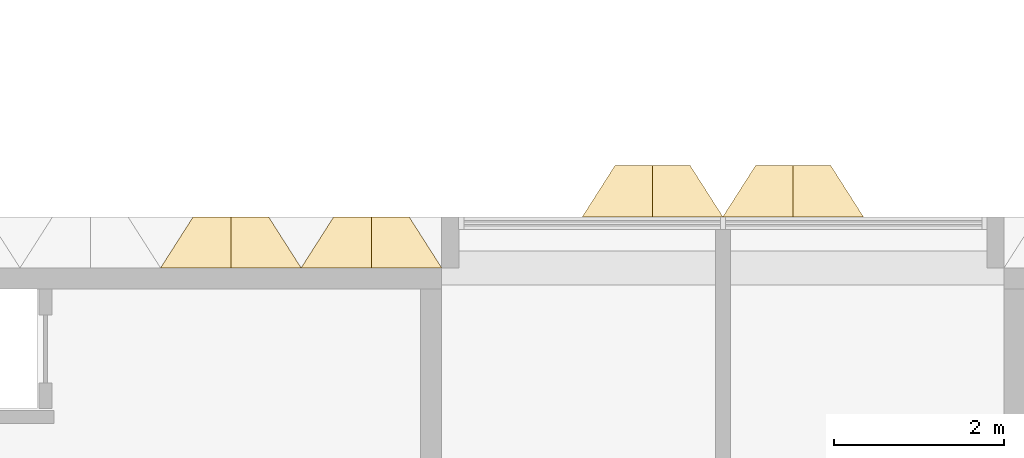
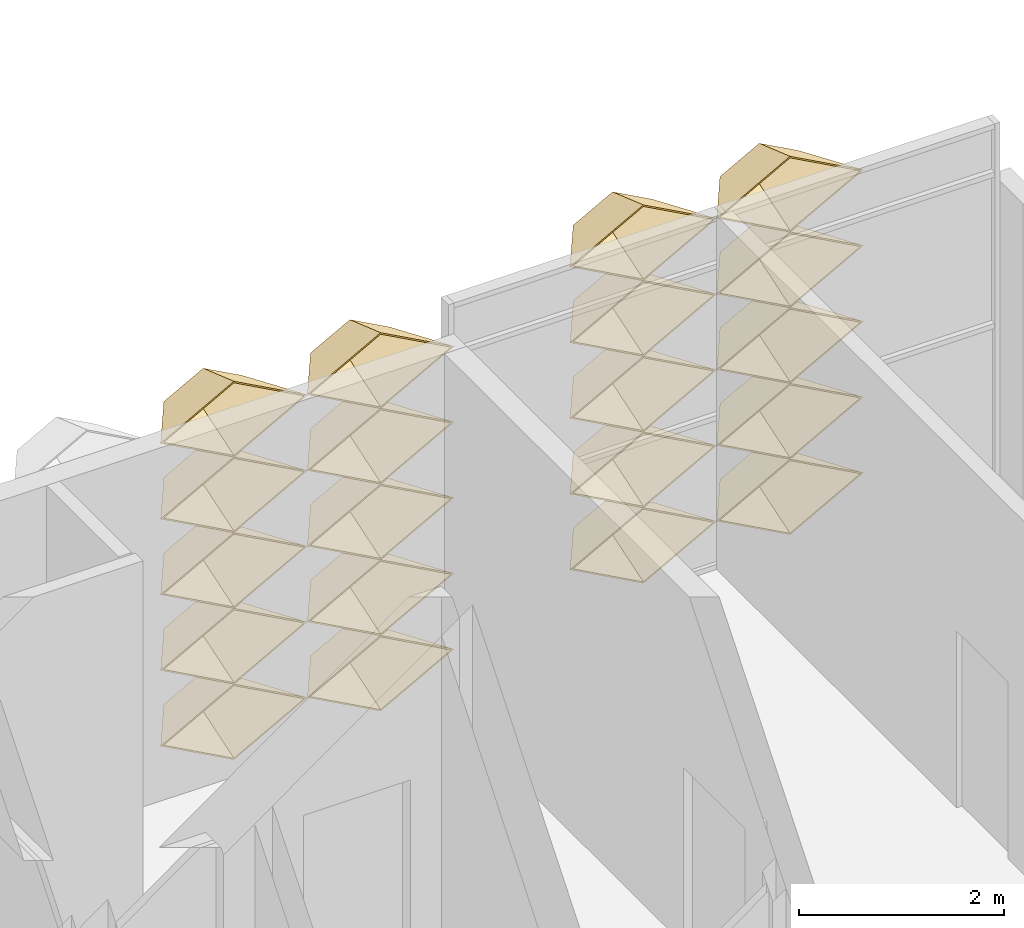
# One storey, part 52 of 85: 20 coverings.
"""IFC4 building model written with IfcOpenShell, lengths in metres."""

from ifc_helpers import new_model, entity, si_unit, direction, frame, origin, place, context, subcontext, project, spatial, material, layer, layer_set, type_object, element, save


model = new_model("IFC4")

# Units and contexts
model_context = context("Model", 3, precision=1e-05, world=origin(), true_north=direction((0.0, 1.0)))
body_context = subcontext(model_context, "Body", "Model", "MODEL_VIEW")
ifc_project = project(units=[si_unit("LENGTHUNIT", "METRE"), si_unit("AREAUNIT", "SQUARE_METRE"), si_unit("VOLUMEUNIT", "CUBIC_METRE"), si_unit("PLANEANGLEUNIT", "RADIAN"), si_unit("MASSUNIT", "GRAM", prefix="KILO")], contexts=[model_context])

# Site, building, storey
site_placement = place(None, origin())
site = spatial("IfcSite", under=ifc_project, at=site_placement, CompositionType="ELEMENT")
building_placement = place(site_placement, origin())
building = spatial("IfcBuilding", under=site, at=building_placement, Name="Lantern Court Research Institute", CompositionType="ELEMENT")
storey_placement = place(building_placement, frame((0.0, 0.0, 18.89990234375)))
storey = spatial("IfcBuildingStorey", under=building, at=storey_placement, Name="L04", CompositionType="ELEMENT", Elevation=18.89990234375)

# Coverings
ifc_material = material(Name="Anodised aluminium", Category="aluminium")
ifc_layer = layer(ifc_material, 0.01611328125)
ifc_layer_set = layer_set([ifc_layer], Name="Anodised aluminium")
covering_type = type_object("IfcCoveringType", Name="Fin cassette 1650 x 900 x 600 aluminium", PredefinedType="CLADDING", material=ifc_layer_set)
covering_1_placement = place(storey_placement, frame((23.925048828125, 23.10009765625, 0.4501953125), z_axis=(0.0, 1.0, 0.0), x_axis=(-1.0, 0.0, 0.0)))
cartesian_point_1 = entity("IfcCartesianPoint", [0.824951171875, 0.0])
cartesian_point_2 = entity("IfcCartesianPoint", [0.79150390625, 0.0])
cartesian_point_3 = entity("IfcCartesianPoint", [0.44189453125, 0.0])
cartesian_point_4 = entity("IfcCartesianPoint", [0.43359375, 0.0])
element("IfcCovering", 1, at=covering_1_placement, inside=storey, type_object=covering_type, Name="Fin cassette V4N-L04 1.15", PredefinedType="CLADDING", context=body_context, shape_type="SweptSolid", body=[
    entity("IfcExtrudedAreaSolidTapered", entity("IfcArbitraryProfileDefWithVoids", "AREA", None, entity("IfcPolyline", [cartesian_point_1, entity("IfcCartesianPoint", [0.0, 0.449951171875]), entity("IfcCartesianPoint", [-0.824951171875, 0.0]), entity("IfcCartesianPoint", [0.0, -0.449951171875]), cartesian_point_1]), [entity("IfcPolyline", [cartesian_point_2, entity("IfcCartesianPoint", [0.0, 0.431884765625]), entity("IfcCartesianPoint", [-0.79150390625, 0.0]), entity("IfcCartesianPoint", [0.0, -0.431884765625]), cartesian_point_2])]), entity("IfcAxis2Placement3D", entity("IfcCartesianPoint", [0.0, 0.0, 0.0])), entity("IfcDirection", [0.0, 0.0, 1.0]), 0.60009765625, entity("IfcArbitraryProfileDefWithVoids", "AREA", None, entity("IfcPolyline", [cartesian_point_3, entity("IfcCartesianPoint", [0.0, 0.240966796875]), entity("IfcCartesianPoint", [-0.44189453125, 0.0]), entity("IfcCartesianPoint", [0.0, -0.240966796875]), cartesian_point_3]), [entity("IfcPolyline", [cartesian_point_4, entity("IfcCartesianPoint", [0.0, 0.236572265625]), entity("IfcCartesianPoint", [-0.43359375, 0.0]), entity("IfcCartesianPoint", [0.0, -0.236572265625]), cartesian_point_4])])),
])
covering_2_placement = place(storey_placement, frame((25.574951171875, 23.10009765625, 0.4501953125), z_axis=(0.0, 1.0, 0.0), x_axis=(-1.0, 0.0, 0.0)))
cartesian_point_5 = entity("IfcCartesianPoint", [0.824951171875, 0.0])
cartesian_point_6 = entity("IfcCartesianPoint", [0.79150390625, 0.0])
cartesian_point_7 = entity("IfcCartesianPoint", [0.44189453125, 0.0])
cartesian_point_8 = entity("IfcCartesianPoint", [0.43359375, 0.0])
element("IfcCovering", 2, at=covering_2_placement, inside=storey, type_object=covering_type, Name="Fin cassette V4N-L04 1.16", PredefinedType="CLADDING", context=body_context, shape_type="SweptSolid", body=[
    entity("IfcExtrudedAreaSolidTapered", entity("IfcArbitraryProfileDefWithVoids", "AREA", None, entity("IfcPolyline", [cartesian_point_5, entity("IfcCartesianPoint", [0.0, 0.449951171875]), entity("IfcCartesianPoint", [-0.824951171875, 0.0]), entity("IfcCartesianPoint", [0.0, -0.449951171875]), cartesian_point_5]), [entity("IfcPolyline", [cartesian_point_6, entity("IfcCartesianPoint", [0.0, 0.431884765625]), entity("IfcCartesianPoint", [-0.79150390625, 0.0]), entity("IfcCartesianPoint", [0.0, -0.431884765625]), cartesian_point_6])]), entity("IfcAxis2Placement3D", entity("IfcCartesianPoint", [0.0, 0.0, 0.0])), entity("IfcDirection", [0.0, 0.0, 1.0]), 0.60009765625, entity("IfcArbitraryProfileDefWithVoids", "AREA", None, entity("IfcPolyline", [cartesian_point_7, entity("IfcCartesianPoint", [0.0, 0.240966796875]), entity("IfcCartesianPoint", [-0.44189453125, 0.0]), entity("IfcCartesianPoint", [0.0, -0.240966796875]), cartesian_point_7]), [entity("IfcPolyline", [cartesian_point_8, entity("IfcCartesianPoint", [0.0, 0.236572265625]), entity("IfcCartesianPoint", [-0.43359375, 0.0]), entity("IfcCartesianPoint", [0.0, -0.236572265625]), cartesian_point_8])])),
])
covering_3_placement = place(storey_placement, frame((23.925048828125, 23.10009765625, 1.35009765625), z_axis=(0.0, 1.0, 0.0), x_axis=(-1.0, 0.0, 0.0)))
cartesian_point_9 = entity("IfcCartesianPoint", [0.824951171875, 0.0])
cartesian_point_10 = entity("IfcCartesianPoint", [0.79150390625, 0.0])
cartesian_point_11 = entity("IfcCartesianPoint", [0.44189453125, 0.0])
cartesian_point_12 = entity("IfcCartesianPoint", [0.43359375, 0.0])
element("IfcCovering", 3, at=covering_3_placement, inside=storey, type_object=covering_type, Name="Fin cassette V4N-L04 2.15", PredefinedType="CLADDING", context=body_context, shape_type="SweptSolid", body=[
    entity("IfcExtrudedAreaSolidTapered", entity("IfcArbitraryProfileDefWithVoids", "AREA", None, entity("IfcPolyline", [cartesian_point_9, entity("IfcCartesianPoint", [0.0, 0.449951171875]), entity("IfcCartesianPoint", [-0.824951171875, 0.0]), entity("IfcCartesianPoint", [0.0, -0.449951171875]), cartesian_point_9]), [entity("IfcPolyline", [cartesian_point_10, entity("IfcCartesianPoint", [0.0, 0.431884765625]), entity("IfcCartesianPoint", [-0.79150390625, 0.0]), entity("IfcCartesianPoint", [0.0, -0.431884765625]), cartesian_point_10])]), entity("IfcAxis2Placement3D", entity("IfcCartesianPoint", [0.0, 0.0, 0.0])), entity("IfcDirection", [0.0, 0.0, 1.0]), 0.60009765625, entity("IfcArbitraryProfileDefWithVoids", "AREA", None, entity("IfcPolyline", [cartesian_point_11, entity("IfcCartesianPoint", [0.0, 0.240966796875]), entity("IfcCartesianPoint", [-0.44189453125, 0.0]), entity("IfcCartesianPoint", [0.0, -0.240966796875]), cartesian_point_11]), [entity("IfcPolyline", [cartesian_point_12, entity("IfcCartesianPoint", [0.0, 0.236572265625]), entity("IfcCartesianPoint", [-0.43359375, 0.0]), entity("IfcCartesianPoint", [0.0, -0.236572265625]), cartesian_point_12])])),
])
covering_4_placement = place(storey_placement, frame((25.574951171875, 23.10009765625, 1.35009765625), z_axis=(0.0, 1.0, 0.0), x_axis=(-1.0, 0.0, 0.0)))
cartesian_point_13 = entity("IfcCartesianPoint", [0.824951171875, 0.0])
cartesian_point_14 = entity("IfcCartesianPoint", [0.79150390625, 0.0])
cartesian_point_15 = entity("IfcCartesianPoint", [0.44189453125, 0.0])
cartesian_point_16 = entity("IfcCartesianPoint", [0.43359375, 0.0])
element("IfcCovering", 4, at=covering_4_placement, inside=storey, type_object=covering_type, Name="Fin cassette V4N-L04 2.16", PredefinedType="CLADDING", context=body_context, shape_type="SweptSolid", body=[
    entity("IfcExtrudedAreaSolidTapered", entity("IfcArbitraryProfileDefWithVoids", "AREA", None, entity("IfcPolyline", [cartesian_point_13, entity("IfcCartesianPoint", [0.0, 0.449951171875]), entity("IfcCartesianPoint", [-0.824951171875, 0.0]), entity("IfcCartesianPoint", [0.0, -0.449951171875]), cartesian_point_13]), [entity("IfcPolyline", [cartesian_point_14, entity("IfcCartesianPoint", [0.0, 0.431884765625]), entity("IfcCartesianPoint", [-0.79150390625, 0.0]), entity("IfcCartesianPoint", [0.0, -0.431884765625]), cartesian_point_14])]), entity("IfcAxis2Placement3D", entity("IfcCartesianPoint", [0.0, 0.0, 0.0])), entity("IfcDirection", [0.0, 0.0, 1.0]), 0.60009765625, entity("IfcArbitraryProfileDefWithVoids", "AREA", None, entity("IfcPolyline", [cartesian_point_15, entity("IfcCartesianPoint", [0.0, 0.240966796875]), entity("IfcCartesianPoint", [-0.44189453125, 0.0]), entity("IfcCartesianPoint", [0.0, -0.240966796875]), cartesian_point_15]), [entity("IfcPolyline", [cartesian_point_16, entity("IfcCartesianPoint", [0.0, 0.236572265625]), entity("IfcCartesianPoint", [-0.43359375, 0.0]), entity("IfcCartesianPoint", [0.0, -0.236572265625]), cartesian_point_16])])),
])
covering_5_placement = place(storey_placement, frame((23.925048828125, 23.10009765625, 2.25), z_axis=(0.0, 1.0, 0.0), x_axis=(-1.0, 0.0, 0.0)))
cartesian_point_17 = entity("IfcCartesianPoint", [0.824951171875, 0.0])
cartesian_point_18 = entity("IfcCartesianPoint", [0.79150390625, 0.0])
cartesian_point_19 = entity("IfcCartesianPoint", [0.44189453125, 0.0])
cartesian_point_20 = entity("IfcCartesianPoint", [0.43359375, 0.0])
element("IfcCovering", 5, at=covering_5_placement, inside=storey, type_object=covering_type, Name="Fin cassette V4N-L04 3.15", PredefinedType="CLADDING", context=body_context, shape_type="SweptSolid", body=[
    entity("IfcExtrudedAreaSolidTapered", entity("IfcArbitraryProfileDefWithVoids", "AREA", None, entity("IfcPolyline", [cartesian_point_17, entity("IfcCartesianPoint", [0.0, 0.449951171875]), entity("IfcCartesianPoint", [-0.824951171875, 0.0]), entity("IfcCartesianPoint", [0.0, -0.449951171875]), cartesian_point_17]), [entity("IfcPolyline", [cartesian_point_18, entity("IfcCartesianPoint", [0.0, 0.431884765625]), entity("IfcCartesianPoint", [-0.79150390625, 0.0]), entity("IfcCartesianPoint", [0.0, -0.431884765625]), cartesian_point_18])]), entity("IfcAxis2Placement3D", entity("IfcCartesianPoint", [0.0, 0.0, 0.0])), entity("IfcDirection", [0.0, 0.0, 1.0]), 0.60009765625, entity("IfcArbitraryProfileDefWithVoids", "AREA", None, entity("IfcPolyline", [cartesian_point_19, entity("IfcCartesianPoint", [0.0, 0.240966796875]), entity("IfcCartesianPoint", [-0.44189453125, 0.0]), entity("IfcCartesianPoint", [0.0, -0.240966796875]), cartesian_point_19]), [entity("IfcPolyline", [cartesian_point_20, entity("IfcCartesianPoint", [0.0, 0.236572265625]), entity("IfcCartesianPoint", [-0.43359375, 0.0]), entity("IfcCartesianPoint", [0.0, -0.236572265625]), cartesian_point_20])])),
])
covering_6_placement = place(storey_placement, frame((25.574951171875, 23.10009765625, 2.25), z_axis=(0.0, 1.0, 0.0), x_axis=(-1.0, 0.0, 0.0)))
cartesian_point_21 = entity("IfcCartesianPoint", [0.824951171875, 0.0])
cartesian_point_22 = entity("IfcCartesianPoint", [0.79150390625, 0.0])
cartesian_point_23 = entity("IfcCartesianPoint", [0.44189453125, 0.0])
cartesian_point_24 = entity("IfcCartesianPoint", [0.43359375, 0.0])
element("IfcCovering", 6, at=covering_6_placement, inside=storey, type_object=covering_type, Name="Fin cassette V4N-L04 3.16", PredefinedType="CLADDING", context=body_context, shape_type="SweptSolid", body=[
    entity("IfcExtrudedAreaSolidTapered", entity("IfcArbitraryProfileDefWithVoids", "AREA", None, entity("IfcPolyline", [cartesian_point_21, entity("IfcCartesianPoint", [0.0, 0.449951171875]), entity("IfcCartesianPoint", [-0.824951171875, 0.0]), entity("IfcCartesianPoint", [0.0, -0.449951171875]), cartesian_point_21]), [entity("IfcPolyline", [cartesian_point_22, entity("IfcCartesianPoint", [0.0, 0.431884765625]), entity("IfcCartesianPoint", [-0.79150390625, 0.0]), entity("IfcCartesianPoint", [0.0, -0.431884765625]), cartesian_point_22])]), entity("IfcAxis2Placement3D", entity("IfcCartesianPoint", [0.0, 0.0, 0.0])), entity("IfcDirection", [0.0, 0.0, 1.0]), 0.60009765625, entity("IfcArbitraryProfileDefWithVoids", "AREA", None, entity("IfcPolyline", [cartesian_point_23, entity("IfcCartesianPoint", [0.0, 0.240966796875]), entity("IfcCartesianPoint", [-0.44189453125, 0.0]), entity("IfcCartesianPoint", [0.0, -0.240966796875]), cartesian_point_23]), [entity("IfcPolyline", [cartesian_point_24, entity("IfcCartesianPoint", [0.0, 0.236572265625]), entity("IfcCartesianPoint", [-0.43359375, 0.0]), entity("IfcCartesianPoint", [0.0, -0.236572265625]), cartesian_point_24])])),
])
covering_7_placement = place(storey_placement, frame((23.925048828125, 23.10009765625, 3.150146484375), z_axis=(0.0, 1.0, 0.0), x_axis=(-1.0, 0.0, 0.0)))
cartesian_point_25 = entity("IfcCartesianPoint", [0.824951171875, 0.0])
cartesian_point_26 = entity("IfcCartesianPoint", [0.79150390625, 0.0])
cartesian_point_27 = entity("IfcCartesianPoint", [0.44189453125, 0.0])
cartesian_point_28 = entity("IfcCartesianPoint", [0.43359375, 0.0])
element("IfcCovering", 7, at=covering_7_placement, inside=storey, type_object=covering_type, Name="Fin cassette V4N-L04 4.15", PredefinedType="CLADDING", context=body_context, shape_type="SweptSolid", body=[
    entity("IfcExtrudedAreaSolidTapered", entity("IfcArbitraryProfileDefWithVoids", "AREA", None, entity("IfcPolyline", [cartesian_point_25, entity("IfcCartesianPoint", [0.0, 0.449951171875]), entity("IfcCartesianPoint", [-0.824951171875, 0.0]), entity("IfcCartesianPoint", [0.0, -0.449951171875]), cartesian_point_25]), [entity("IfcPolyline", [cartesian_point_26, entity("IfcCartesianPoint", [0.0, 0.431884765625]), entity("IfcCartesianPoint", [-0.79150390625, 0.0]), entity("IfcCartesianPoint", [0.0, -0.431884765625]), cartesian_point_26])]), entity("IfcAxis2Placement3D", entity("IfcCartesianPoint", [0.0, 0.0, 0.0])), entity("IfcDirection", [0.0, 0.0, 1.0]), 0.60009765625, entity("IfcArbitraryProfileDefWithVoids", "AREA", None, entity("IfcPolyline", [cartesian_point_27, entity("IfcCartesianPoint", [0.0, 0.240966796875]), entity("IfcCartesianPoint", [-0.44189453125, 0.0]), entity("IfcCartesianPoint", [0.0, -0.240966796875]), cartesian_point_27]), [entity("IfcPolyline", [cartesian_point_28, entity("IfcCartesianPoint", [0.0, 0.236572265625]), entity("IfcCartesianPoint", [-0.43359375, 0.0]), entity("IfcCartesianPoint", [0.0, -0.236572265625]), cartesian_point_28])])),
])
covering_8_placement = place(storey_placement, frame((25.574951171875, 23.10009765625, 3.150146484375), z_axis=(0.0, 1.0, 0.0), x_axis=(-1.0, 0.0, 0.0)))
cartesian_point_29 = entity("IfcCartesianPoint", [0.824951171875, 0.0])
cartesian_point_30 = entity("IfcCartesianPoint", [0.79150390625, 0.0])
cartesian_point_31 = entity("IfcCartesianPoint", [0.44189453125, 0.0])
cartesian_point_32 = entity("IfcCartesianPoint", [0.43359375, 0.0])
element("IfcCovering", 8, at=covering_8_placement, inside=storey, type_object=covering_type, Name="Fin cassette V4N-L04 4.16", PredefinedType="CLADDING", context=body_context, shape_type="SweptSolid", body=[
    entity("IfcExtrudedAreaSolidTapered", entity("IfcArbitraryProfileDefWithVoids", "AREA", None, entity("IfcPolyline", [cartesian_point_29, entity("IfcCartesianPoint", [0.0, 0.449951171875]), entity("IfcCartesianPoint", [-0.824951171875, 0.0]), entity("IfcCartesianPoint", [0.0, -0.449951171875]), cartesian_point_29]), [entity("IfcPolyline", [cartesian_point_30, entity("IfcCartesianPoint", [0.0, 0.431884765625]), entity("IfcCartesianPoint", [-0.79150390625, 0.0]), entity("IfcCartesianPoint", [0.0, -0.431884765625]), cartesian_point_30])]), entity("IfcAxis2Placement3D", entity("IfcCartesianPoint", [0.0, 0.0, 0.0])), entity("IfcDirection", [0.0, 0.0, 1.0]), 0.60009765625, entity("IfcArbitraryProfileDefWithVoids", "AREA", None, entity("IfcPolyline", [cartesian_point_31, entity("IfcCartesianPoint", [0.0, 0.240966796875]), entity("IfcCartesianPoint", [-0.44189453125, 0.0]), entity("IfcCartesianPoint", [0.0, -0.240966796875]), cartesian_point_31]), [entity("IfcPolyline", [cartesian_point_32, entity("IfcCartesianPoint", [0.0, 0.236572265625]), entity("IfcCartesianPoint", [-0.43359375, 0.0]), entity("IfcCartesianPoint", [0.0, -0.236572265625]), cartesian_point_32])])),
])
covering_9_placement = place(storey_placement, frame((23.925048828125, 23.10009765625, 4.050048828125), z_axis=(0.0, 1.0, 0.0), x_axis=(-1.0, 0.0, 0.0)))
cartesian_point_33 = entity("IfcCartesianPoint", [0.824951171875, 0.0])
cartesian_point_34 = entity("IfcCartesianPoint", [0.79150390625, 0.0])
cartesian_point_35 = entity("IfcCartesianPoint", [0.44189453125, 0.0])
cartesian_point_36 = entity("IfcCartesianPoint", [0.43359375, 0.0])
element("IfcCovering", 9, at=covering_9_placement, inside=storey, type_object=covering_type, Name="Fin cassette V4N-L04 5.15", PredefinedType="CLADDING", context=body_context, shape_type="SweptSolid", body=[
    entity("IfcExtrudedAreaSolidTapered", entity("IfcArbitraryProfileDefWithVoids", "AREA", None, entity("IfcPolyline", [cartesian_point_33, entity("IfcCartesianPoint", [0.0, 0.449951171875]), entity("IfcCartesianPoint", [-0.824951171875, 0.0]), entity("IfcCartesianPoint", [0.0, -0.449951171875]), cartesian_point_33]), [entity("IfcPolyline", [cartesian_point_34, entity("IfcCartesianPoint", [0.0, 0.431884765625]), entity("IfcCartesianPoint", [-0.79150390625, 0.0]), entity("IfcCartesianPoint", [0.0, -0.431884765625]), cartesian_point_34])]), entity("IfcAxis2Placement3D", entity("IfcCartesianPoint", [0.0, 0.0, 0.0])), entity("IfcDirection", [0.0, 0.0, 1.0]), 0.60009765625, entity("IfcArbitraryProfileDefWithVoids", "AREA", None, entity("IfcPolyline", [cartesian_point_35, entity("IfcCartesianPoint", [0.0, 0.240966796875]), entity("IfcCartesianPoint", [-0.44189453125, 0.0]), entity("IfcCartesianPoint", [0.0, -0.240966796875]), cartesian_point_35]), [entity("IfcPolyline", [cartesian_point_36, entity("IfcCartesianPoint", [0.0, 0.236572265625]), entity("IfcCartesianPoint", [-0.43359375, 0.0]), entity("IfcCartesianPoint", [0.0, -0.236572265625]), cartesian_point_36])])),
])
covering_10_placement = place(storey_placement, frame((25.574951171875, 23.10009765625, 4.050048828125), z_axis=(0.0, 1.0, 0.0), x_axis=(-1.0, 0.0, 0.0)))
cartesian_point_37 = entity("IfcCartesianPoint", [0.824951171875, 0.0])
cartesian_point_38 = entity("IfcCartesianPoint", [0.79150390625, 0.0])
cartesian_point_39 = entity("IfcCartesianPoint", [0.44189453125, 0.0])
cartesian_point_40 = entity("IfcCartesianPoint", [0.43359375, 0.0])
element("IfcCovering", 10, at=covering_10_placement, inside=storey, type_object=covering_type, Name="Fin cassette V4N-L04 5.16", PredefinedType="CLADDING", context=body_context, shape_type="SweptSolid", body=[
    entity("IfcExtrudedAreaSolidTapered", entity("IfcArbitraryProfileDefWithVoids", "AREA", None, entity("IfcPolyline", [cartesian_point_37, entity("IfcCartesianPoint", [0.0, 0.449951171875]), entity("IfcCartesianPoint", [-0.824951171875, 0.0]), entity("IfcCartesianPoint", [0.0, -0.449951171875]), cartesian_point_37]), [entity("IfcPolyline", [cartesian_point_38, entity("IfcCartesianPoint", [0.0, 0.431884765625]), entity("IfcCartesianPoint", [-0.79150390625, 0.0]), entity("IfcCartesianPoint", [0.0, -0.431884765625]), cartesian_point_38])]), entity("IfcAxis2Placement3D", entity("IfcCartesianPoint", [0.0, 0.0, 0.0])), entity("IfcDirection", [0.0, 0.0, 1.0]), 0.60009765625, entity("IfcArbitraryProfileDefWithVoids", "AREA", None, entity("IfcPolyline", [cartesian_point_39, entity("IfcCartesianPoint", [0.0, 0.240966796875]), entity("IfcCartesianPoint", [-0.44189453125, 0.0]), entity("IfcCartesianPoint", [0.0, -0.240966796875]), cartesian_point_39]), [entity("IfcPolyline", [cartesian_point_40, entity("IfcCartesianPoint", [0.0, 0.236572265625]), entity("IfcCartesianPoint", [-0.43359375, 0.0]), entity("IfcCartesianPoint", [0.0, -0.236572265625]), cartesian_point_40])])),
])
covering_11_placement = place(storey_placement, frame((28.875, 23.699951171875, 0.4501953125), z_axis=(0.0, 1.0, 0.0), x_axis=(-1.0, 0.0, 0.0)))
cartesian_point_41 = entity("IfcCartesianPoint", [0.824951171875, 0.0])
cartesian_point_42 = entity("IfcCartesianPoint", [0.79150390625, 0.0])
cartesian_point_43 = entity("IfcCartesianPoint", [0.44189453125, 0.0])
cartesian_point_44 = entity("IfcCartesianPoint", [0.43359375, 0.0])
element("IfcCovering", 11, at=covering_11_placement, inside=storey, type_object=covering_type, Name="Fin cassette V4N-L04 1.18", PredefinedType="CLADDING", context=body_context, shape_type="SweptSolid", body=[
    entity("IfcExtrudedAreaSolidTapered", entity("IfcArbitraryProfileDefWithVoids", "AREA", None, entity("IfcPolyline", [cartesian_point_41, entity("IfcCartesianPoint", [0.0, 0.449951171875]), entity("IfcCartesianPoint", [-0.824951171875, 0.0]), entity("IfcCartesianPoint", [0.0, -0.449951171875]), cartesian_point_41]), [entity("IfcPolyline", [cartesian_point_42, entity("IfcCartesianPoint", [0.0, 0.431884765625]), entity("IfcCartesianPoint", [-0.79150390625, 0.0]), entity("IfcCartesianPoint", [0.0, -0.431884765625]), cartesian_point_42])]), entity("IfcAxis2Placement3D", entity("IfcCartesianPoint", [0.0, 0.0, 0.0])), entity("IfcDirection", [0.0, 0.0, 1.0]), 0.60009765625, entity("IfcArbitraryProfileDefWithVoids", "AREA", None, entity("IfcPolyline", [cartesian_point_43, entity("IfcCartesianPoint", [0.0, 0.240966796875]), entity("IfcCartesianPoint", [-0.44189453125, 0.0]), entity("IfcCartesianPoint", [0.0, -0.240966796875]), cartesian_point_43]), [entity("IfcPolyline", [cartesian_point_44, entity("IfcCartesianPoint", [0.0, 0.236572265625]), entity("IfcCartesianPoint", [-0.43359375, 0.0]), entity("IfcCartesianPoint", [0.0, -0.236572265625]), cartesian_point_44])])),
])
covering_12_placement = place(storey_placement, frame((30.52490234375, 23.699951171875, 0.4501953125), z_axis=(0.0, 1.0, 0.0), x_axis=(-1.0, 0.0, 0.0)))
cartesian_point_45 = entity("IfcCartesianPoint", [0.824951171875, 0.0])
cartesian_point_46 = entity("IfcCartesianPoint", [0.79150390625, 0.0])
cartesian_point_47 = entity("IfcCartesianPoint", [0.44189453125, 0.0])
cartesian_point_48 = entity("IfcCartesianPoint", [0.43359375, 0.0])
element("IfcCovering", 12, at=covering_12_placement, inside=storey, type_object=covering_type, Name="Fin cassette V4N-L04 1.19", PredefinedType="CLADDING", context=body_context, shape_type="SweptSolid", body=[
    entity("IfcExtrudedAreaSolidTapered", entity("IfcArbitraryProfileDefWithVoids", "AREA", None, entity("IfcPolyline", [cartesian_point_45, entity("IfcCartesianPoint", [0.0, 0.449951171875]), entity("IfcCartesianPoint", [-0.824951171875, 0.0]), entity("IfcCartesianPoint", [0.0, -0.449951171875]), cartesian_point_45]), [entity("IfcPolyline", [cartesian_point_46, entity("IfcCartesianPoint", [0.0, 0.431884765625]), entity("IfcCartesianPoint", [-0.79150390625, 0.0]), entity("IfcCartesianPoint", [0.0, -0.431884765625]), cartesian_point_46])]), entity("IfcAxis2Placement3D", entity("IfcCartesianPoint", [0.0, 0.0, 0.0])), entity("IfcDirection", [0.0, 0.0, 1.0]), 0.60009765625, entity("IfcArbitraryProfileDefWithVoids", "AREA", None, entity("IfcPolyline", [cartesian_point_47, entity("IfcCartesianPoint", [0.0, 0.240966796875]), entity("IfcCartesianPoint", [-0.44189453125, 0.0]), entity("IfcCartesianPoint", [0.0, -0.240966796875]), cartesian_point_47]), [entity("IfcPolyline", [cartesian_point_48, entity("IfcCartesianPoint", [0.0, 0.236572265625]), entity("IfcCartesianPoint", [-0.43359375, 0.0]), entity("IfcCartesianPoint", [0.0, -0.236572265625]), cartesian_point_48])])),
])
covering_13_placement = place(storey_placement, frame((28.875, 23.699951171875, 1.35009765625), z_axis=(0.0, 1.0, 0.0), x_axis=(-1.0, 0.0, 0.0)))
cartesian_point_49 = entity("IfcCartesianPoint", [0.824951171875, 0.0])
cartesian_point_50 = entity("IfcCartesianPoint", [0.79150390625, 0.0])
cartesian_point_51 = entity("IfcCartesianPoint", [0.44189453125, 0.0])
cartesian_point_52 = entity("IfcCartesianPoint", [0.43359375, 0.0])
element("IfcCovering", 13, at=covering_13_placement, inside=storey, type_object=covering_type, Name="Fin cassette V4N-L04 2.18", PredefinedType="CLADDING", context=body_context, shape_type="SweptSolid", body=[
    entity("IfcExtrudedAreaSolidTapered", entity("IfcArbitraryProfileDefWithVoids", "AREA", None, entity("IfcPolyline", [cartesian_point_49, entity("IfcCartesianPoint", [0.0, 0.449951171875]), entity("IfcCartesianPoint", [-0.824951171875, 0.0]), entity("IfcCartesianPoint", [0.0, -0.449951171875]), cartesian_point_49]), [entity("IfcPolyline", [cartesian_point_50, entity("IfcCartesianPoint", [0.0, 0.431884765625]), entity("IfcCartesianPoint", [-0.79150390625, 0.0]), entity("IfcCartesianPoint", [0.0, -0.431884765625]), cartesian_point_50])]), entity("IfcAxis2Placement3D", entity("IfcCartesianPoint", [0.0, 0.0, 0.0])), entity("IfcDirection", [0.0, 0.0, 1.0]), 0.60009765625, entity("IfcArbitraryProfileDefWithVoids", "AREA", None, entity("IfcPolyline", [cartesian_point_51, entity("IfcCartesianPoint", [0.0, 0.240966796875]), entity("IfcCartesianPoint", [-0.44189453125, 0.0]), entity("IfcCartesianPoint", [0.0, -0.240966796875]), cartesian_point_51]), [entity("IfcPolyline", [cartesian_point_52, entity("IfcCartesianPoint", [0.0, 0.236572265625]), entity("IfcCartesianPoint", [-0.43359375, 0.0]), entity("IfcCartesianPoint", [0.0, -0.236572265625]), cartesian_point_52])])),
])
covering_14_placement = place(storey_placement, frame((30.52490234375, 23.699951171875, 1.35009765625), z_axis=(0.0, 1.0, 0.0), x_axis=(-1.0, 0.0, 0.0)))
cartesian_point_53 = entity("IfcCartesianPoint", [0.824951171875, 0.0])
cartesian_point_54 = entity("IfcCartesianPoint", [0.79150390625, 0.0])
cartesian_point_55 = entity("IfcCartesianPoint", [0.44189453125, 0.0])
cartesian_point_56 = entity("IfcCartesianPoint", [0.43359375, 0.0])
element("IfcCovering", 14, at=covering_14_placement, inside=storey, type_object=covering_type, Name="Fin cassette V4N-L04 2.19", PredefinedType="CLADDING", context=body_context, shape_type="SweptSolid", body=[
    entity("IfcExtrudedAreaSolidTapered", entity("IfcArbitraryProfileDefWithVoids", "AREA", None, entity("IfcPolyline", [cartesian_point_53, entity("IfcCartesianPoint", [0.0, 0.449951171875]), entity("IfcCartesianPoint", [-0.824951171875, 0.0]), entity("IfcCartesianPoint", [0.0, -0.449951171875]), cartesian_point_53]), [entity("IfcPolyline", [cartesian_point_54, entity("IfcCartesianPoint", [0.0, 0.431884765625]), entity("IfcCartesianPoint", [-0.79150390625, 0.0]), entity("IfcCartesianPoint", [0.0, -0.431884765625]), cartesian_point_54])]), entity("IfcAxis2Placement3D", entity("IfcCartesianPoint", [0.0, 0.0, 0.0])), entity("IfcDirection", [0.0, 0.0, 1.0]), 0.60009765625, entity("IfcArbitraryProfileDefWithVoids", "AREA", None, entity("IfcPolyline", [cartesian_point_55, entity("IfcCartesianPoint", [0.0, 0.240966796875]), entity("IfcCartesianPoint", [-0.44189453125, 0.0]), entity("IfcCartesianPoint", [0.0, -0.240966796875]), cartesian_point_55]), [entity("IfcPolyline", [cartesian_point_56, entity("IfcCartesianPoint", [0.0, 0.236572265625]), entity("IfcCartesianPoint", [-0.43359375, 0.0]), entity("IfcCartesianPoint", [0.0, -0.236572265625]), cartesian_point_56])])),
])
covering_15_placement = place(storey_placement, frame((28.875, 23.699951171875, 2.25), z_axis=(0.0, 1.0, 0.0), x_axis=(-1.0, 0.0, 0.0)))
cartesian_point_57 = entity("IfcCartesianPoint", [0.824951171875, 0.0])
cartesian_point_58 = entity("IfcCartesianPoint", [0.79150390625, 0.0])
cartesian_point_59 = entity("IfcCartesianPoint", [0.44189453125, 0.0])
cartesian_point_60 = entity("IfcCartesianPoint", [0.43359375, 0.0])
element("IfcCovering", 15, at=covering_15_placement, inside=storey, type_object=covering_type, Name="Fin cassette V4N-L04 3.18", PredefinedType="CLADDING", context=body_context, shape_type="SweptSolid", body=[
    entity("IfcExtrudedAreaSolidTapered", entity("IfcArbitraryProfileDefWithVoids", "AREA", None, entity("IfcPolyline", [cartesian_point_57, entity("IfcCartesianPoint", [0.0, 0.449951171875]), entity("IfcCartesianPoint", [-0.824951171875, 0.0]), entity("IfcCartesianPoint", [0.0, -0.449951171875]), cartesian_point_57]), [entity("IfcPolyline", [cartesian_point_58, entity("IfcCartesianPoint", [0.0, 0.431884765625]), entity("IfcCartesianPoint", [-0.79150390625, 0.0]), entity("IfcCartesianPoint", [0.0, -0.431884765625]), cartesian_point_58])]), entity("IfcAxis2Placement3D", entity("IfcCartesianPoint", [0.0, 0.0, 0.0])), entity("IfcDirection", [0.0, 0.0, 1.0]), 0.60009765625, entity("IfcArbitraryProfileDefWithVoids", "AREA", None, entity("IfcPolyline", [cartesian_point_59, entity("IfcCartesianPoint", [0.0, 0.240966796875]), entity("IfcCartesianPoint", [-0.44189453125, 0.0]), entity("IfcCartesianPoint", [0.0, -0.240966796875]), cartesian_point_59]), [entity("IfcPolyline", [cartesian_point_60, entity("IfcCartesianPoint", [0.0, 0.236572265625]), entity("IfcCartesianPoint", [-0.43359375, 0.0]), entity("IfcCartesianPoint", [0.0, -0.236572265625]), cartesian_point_60])])),
])
covering_16_placement = place(storey_placement, frame((30.52490234375, 23.699951171875, 2.25), z_axis=(0.0, 1.0, 0.0), x_axis=(-1.0, 0.0, 0.0)))
cartesian_point_61 = entity("IfcCartesianPoint", [0.824951171875, 0.0])
cartesian_point_62 = entity("IfcCartesianPoint", [0.79150390625, 0.0])
cartesian_point_63 = entity("IfcCartesianPoint", [0.44189453125, 0.0])
cartesian_point_64 = entity("IfcCartesianPoint", [0.43359375, 0.0])
element("IfcCovering", 16, at=covering_16_placement, inside=storey, type_object=covering_type, Name="Fin cassette V4N-L04 3.19", PredefinedType="CLADDING", context=body_context, shape_type="SweptSolid", body=[
    entity("IfcExtrudedAreaSolidTapered", entity("IfcArbitraryProfileDefWithVoids", "AREA", None, entity("IfcPolyline", [cartesian_point_61, entity("IfcCartesianPoint", [0.0, 0.449951171875]), entity("IfcCartesianPoint", [-0.824951171875, 0.0]), entity("IfcCartesianPoint", [0.0, -0.449951171875]), cartesian_point_61]), [entity("IfcPolyline", [cartesian_point_62, entity("IfcCartesianPoint", [0.0, 0.431884765625]), entity("IfcCartesianPoint", [-0.79150390625, 0.0]), entity("IfcCartesianPoint", [0.0, -0.431884765625]), cartesian_point_62])]), entity("IfcAxis2Placement3D", entity("IfcCartesianPoint", [0.0, 0.0, 0.0])), entity("IfcDirection", [0.0, 0.0, 1.0]), 0.60009765625, entity("IfcArbitraryProfileDefWithVoids", "AREA", None, entity("IfcPolyline", [cartesian_point_63, entity("IfcCartesianPoint", [0.0, 0.240966796875]), entity("IfcCartesianPoint", [-0.44189453125, 0.0]), entity("IfcCartesianPoint", [0.0, -0.240966796875]), cartesian_point_63]), [entity("IfcPolyline", [cartesian_point_64, entity("IfcCartesianPoint", [0.0, 0.236572265625]), entity("IfcCartesianPoint", [-0.43359375, 0.0]), entity("IfcCartesianPoint", [0.0, -0.236572265625]), cartesian_point_64])])),
])
covering_17_placement = place(storey_placement, frame((28.875, 23.699951171875, 3.150146484375), z_axis=(0.0, 1.0, 0.0), x_axis=(-1.0, 0.0, 0.0)))
cartesian_point_65 = entity("IfcCartesianPoint", [0.824951171875, 0.0])
cartesian_point_66 = entity("IfcCartesianPoint", [0.79150390625, 0.0])
cartesian_point_67 = entity("IfcCartesianPoint", [0.44189453125, 0.0])
cartesian_point_68 = entity("IfcCartesianPoint", [0.43359375, 0.0])
element("IfcCovering", 17, at=covering_17_placement, inside=storey, type_object=covering_type, Name="Fin cassette V4N-L04 4.18", PredefinedType="CLADDING", context=body_context, shape_type="SweptSolid", body=[
    entity("IfcExtrudedAreaSolidTapered", entity("IfcArbitraryProfileDefWithVoids", "AREA", None, entity("IfcPolyline", [cartesian_point_65, entity("IfcCartesianPoint", [0.0, 0.449951171875]), entity("IfcCartesianPoint", [-0.824951171875, 0.0]), entity("IfcCartesianPoint", [0.0, -0.449951171875]), cartesian_point_65]), [entity("IfcPolyline", [cartesian_point_66, entity("IfcCartesianPoint", [0.0, 0.431884765625]), entity("IfcCartesianPoint", [-0.79150390625, 0.0]), entity("IfcCartesianPoint", [0.0, -0.431884765625]), cartesian_point_66])]), entity("IfcAxis2Placement3D", entity("IfcCartesianPoint", [0.0, 0.0, 0.0])), entity("IfcDirection", [0.0, 0.0, 1.0]), 0.60009765625, entity("IfcArbitraryProfileDefWithVoids", "AREA", None, entity("IfcPolyline", [cartesian_point_67, entity("IfcCartesianPoint", [0.0, 0.240966796875]), entity("IfcCartesianPoint", [-0.44189453125, 0.0]), entity("IfcCartesianPoint", [0.0, -0.240966796875]), cartesian_point_67]), [entity("IfcPolyline", [cartesian_point_68, entity("IfcCartesianPoint", [0.0, 0.236572265625]), entity("IfcCartesianPoint", [-0.43359375, 0.0]), entity("IfcCartesianPoint", [0.0, -0.236572265625]), cartesian_point_68])])),
])
covering_18_placement = place(storey_placement, frame((30.52490234375, 23.699951171875, 3.150146484375), z_axis=(0.0, 1.0, 0.0), x_axis=(-1.0, 0.0, 0.0)))
cartesian_point_69 = entity("IfcCartesianPoint", [0.824951171875, 0.0])
cartesian_point_70 = entity("IfcCartesianPoint", [0.79150390625, 0.0])
cartesian_point_71 = entity("IfcCartesianPoint", [0.44189453125, 0.0])
cartesian_point_72 = entity("IfcCartesianPoint", [0.43359375, 0.0])
element("IfcCovering", 18, at=covering_18_placement, inside=storey, type_object=covering_type, Name="Fin cassette V4N-L04 4.19", PredefinedType="CLADDING", context=body_context, shape_type="SweptSolid", body=[
    entity("IfcExtrudedAreaSolidTapered", entity("IfcArbitraryProfileDefWithVoids", "AREA", None, entity("IfcPolyline", [cartesian_point_69, entity("IfcCartesianPoint", [0.0, 0.449951171875]), entity("IfcCartesianPoint", [-0.824951171875, 0.0]), entity("IfcCartesianPoint", [0.0, -0.449951171875]), cartesian_point_69]), [entity("IfcPolyline", [cartesian_point_70, entity("IfcCartesianPoint", [0.0, 0.431884765625]), entity("IfcCartesianPoint", [-0.79150390625, 0.0]), entity("IfcCartesianPoint", [0.0, -0.431884765625]), cartesian_point_70])]), entity("IfcAxis2Placement3D", entity("IfcCartesianPoint", [0.0, 0.0, 0.0])), entity("IfcDirection", [0.0, 0.0, 1.0]), 0.60009765625, entity("IfcArbitraryProfileDefWithVoids", "AREA", None, entity("IfcPolyline", [cartesian_point_71, entity("IfcCartesianPoint", [0.0, 0.240966796875]), entity("IfcCartesianPoint", [-0.44189453125, 0.0]), entity("IfcCartesianPoint", [0.0, -0.240966796875]), cartesian_point_71]), [entity("IfcPolyline", [cartesian_point_72, entity("IfcCartesianPoint", [0.0, 0.236572265625]), entity("IfcCartesianPoint", [-0.43359375, 0.0]), entity("IfcCartesianPoint", [0.0, -0.236572265625]), cartesian_point_72])])),
])
covering_19_placement = place(storey_placement, frame((28.875, 23.699951171875, 4.050048828125), z_axis=(0.0, 1.0, 0.0), x_axis=(-1.0, 0.0, 0.0)))
cartesian_point_73 = entity("IfcCartesianPoint", [0.824951171875, 0.0])
cartesian_point_74 = entity("IfcCartesianPoint", [0.79150390625, 0.0])
cartesian_point_75 = entity("IfcCartesianPoint", [0.44189453125, 0.0])
cartesian_point_76 = entity("IfcCartesianPoint", [0.43359375, 0.0])
element("IfcCovering", 19, at=covering_19_placement, inside=storey, type_object=covering_type, Name="Fin cassette V4N-L04 5.18", PredefinedType="CLADDING", context=body_context, shape_type="SweptSolid", body=[
    entity("IfcExtrudedAreaSolidTapered", entity("IfcArbitraryProfileDefWithVoids", "AREA", None, entity("IfcPolyline", [cartesian_point_73, entity("IfcCartesianPoint", [0.0, 0.449951171875]), entity("IfcCartesianPoint", [-0.824951171875, 0.0]), entity("IfcCartesianPoint", [0.0, -0.449951171875]), cartesian_point_73]), [entity("IfcPolyline", [cartesian_point_74, entity("IfcCartesianPoint", [0.0, 0.431884765625]), entity("IfcCartesianPoint", [-0.79150390625, 0.0]), entity("IfcCartesianPoint", [0.0, -0.431884765625]), cartesian_point_74])]), entity("IfcAxis2Placement3D", entity("IfcCartesianPoint", [0.0, 0.0, 0.0])), entity("IfcDirection", [0.0, 0.0, 1.0]), 0.60009765625, entity("IfcArbitraryProfileDefWithVoids", "AREA", None, entity("IfcPolyline", [cartesian_point_75, entity("IfcCartesianPoint", [0.0, 0.240966796875]), entity("IfcCartesianPoint", [-0.44189453125, 0.0]), entity("IfcCartesianPoint", [0.0, -0.240966796875]), cartesian_point_75]), [entity("IfcPolyline", [cartesian_point_76, entity("IfcCartesianPoint", [0.0, 0.236572265625]), entity("IfcCartesianPoint", [-0.43359375, 0.0]), entity("IfcCartesianPoint", [0.0, -0.236572265625]), cartesian_point_76])])),
])
covering_20_placement = place(storey_placement, frame((30.52490234375, 23.699951171875, 4.050048828125), z_axis=(0.0, 1.0, 0.0), x_axis=(-1.0, 0.0, 0.0)))
cartesian_point_77 = entity("IfcCartesianPoint", [0.824951171875, 0.0])
cartesian_point_78 = entity("IfcCartesianPoint", [0.79150390625, 0.0])
cartesian_point_79 = entity("IfcCartesianPoint", [0.44189453125, 0.0])
cartesian_point_80 = entity("IfcCartesianPoint", [0.43359375, 0.0])
element("IfcCovering", 20, at=covering_20_placement, inside=storey, type_object=covering_type, Name="Fin cassette V4N-L04 5.19", PredefinedType="CLADDING", context=body_context, shape_type="SweptSolid", body=[
    entity("IfcExtrudedAreaSolidTapered", entity("IfcArbitraryProfileDefWithVoids", "AREA", None, entity("IfcPolyline", [cartesian_point_77, entity("IfcCartesianPoint", [0.0, 0.449951171875]), entity("IfcCartesianPoint", [-0.824951171875, 0.0]), entity("IfcCartesianPoint", [0.0, -0.449951171875]), cartesian_point_77]), [entity("IfcPolyline", [cartesian_point_78, entity("IfcCartesianPoint", [0.0, 0.431884765625]), entity("IfcCartesianPoint", [-0.79150390625, 0.0]), entity("IfcCartesianPoint", [0.0, -0.431884765625]), cartesian_point_78])]), entity("IfcAxis2Placement3D", entity("IfcCartesianPoint", [0.0, 0.0, 0.0])), entity("IfcDirection", [0.0, 0.0, 1.0]), 0.60009765625, entity("IfcArbitraryProfileDefWithVoids", "AREA", None, entity("IfcPolyline", [cartesian_point_79, entity("IfcCartesianPoint", [0.0, 0.240966796875]), entity("IfcCartesianPoint", [-0.44189453125, 0.0]), entity("IfcCartesianPoint", [0.0, -0.240966796875]), cartesian_point_79]), [entity("IfcPolyline", [cartesian_point_80, entity("IfcCartesianPoint", [0.0, 0.236572265625]), entity("IfcCartesianPoint", [-0.43359375, 0.0]), entity("IfcCartesianPoint", [0.0, -0.236572265625]), cartesian_point_80])])),
])

save(model, "model.ifc")
